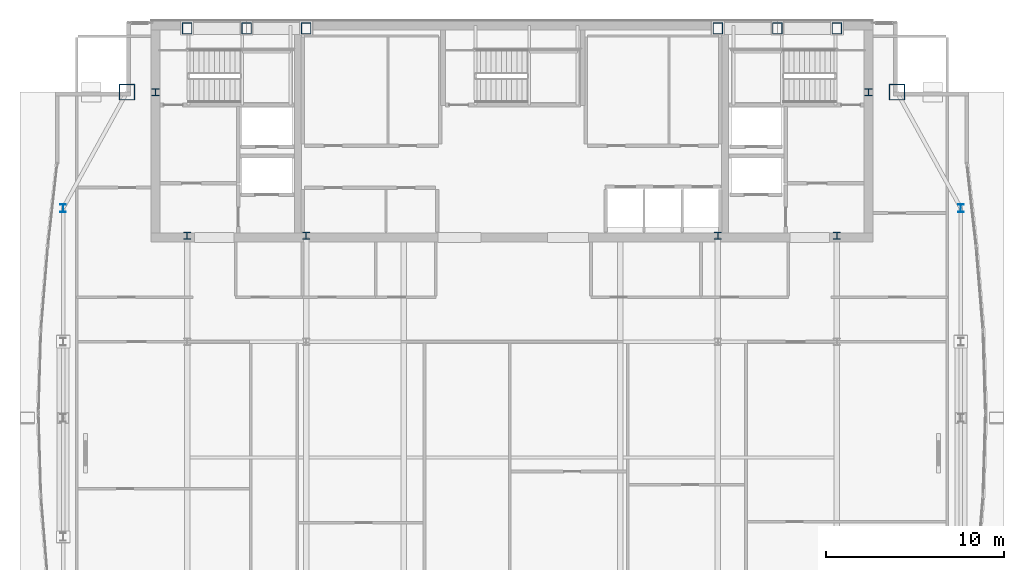
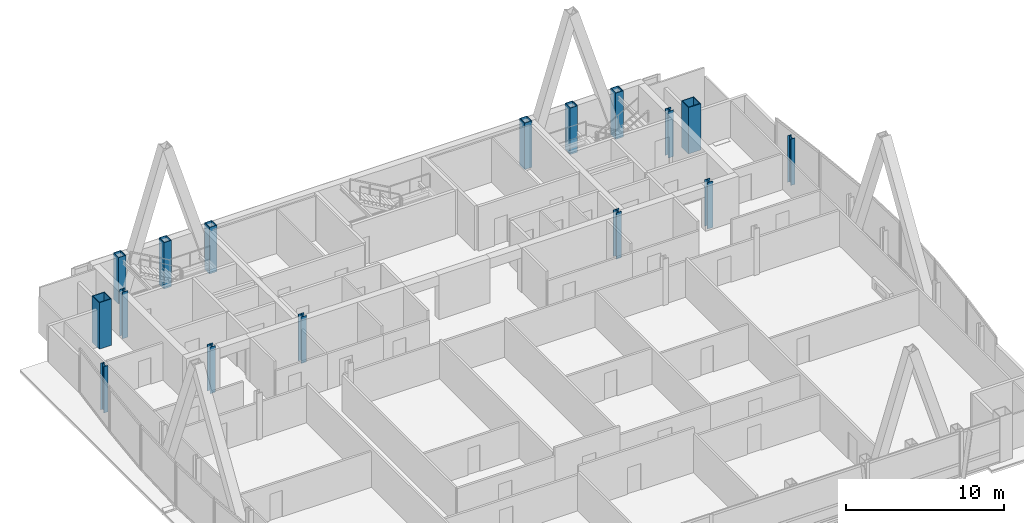
# One storey, part 3 of 28: 16 columns.
"""IFC4 building model written with IfcOpenShell, lengths in metres."""

from ifc_helpers import new_model, si_unit, direction, frame, origin, origin_2d, place, context, subcontext, project, spatial, hollow_rectangle, i_section, extrude, material, material_profile, profile_set, type_object, element, save


model = new_model("IFC4")

# Units and contexts
model_context = context("Model", 3, precision=1e-05, world=origin(), true_north=direction((0.0, 1.0)))
body_context = subcontext(model_context, "Body", "Model", "MODEL_VIEW")
ifc_project = project(units=[si_unit("LENGTHUNIT", "METRE"), si_unit("AREAUNIT", "SQUARE_METRE"), si_unit("VOLUMEUNIT", "CUBIC_METRE"), si_unit("PLANEANGLEUNIT", "RADIAN"), si_unit("MASSUNIT", "GRAM", prefix="KILO")], contexts=[model_context])

# Site, building, storey
site_placement = place(None, origin())
site = spatial("IfcSite", under=ifc_project, at=site_placement, CompositionType="ELEMENT")
building_placement = place(site_placement, origin())
building = spatial("IfcBuilding", under=site, at=building_placement, Name="Khoronbel Lancet Exchange", CompositionType="ELEMENT")
storey_placement = place(building_placement, frame((0.0, 0.0, 291.39990234375)))
storey = spatial("IfcBuildingStorey", under=building, at=storey_placement, Name="L75", CompositionType="ELEMENT", Elevation=291.39990234375)

# Columns
ifc_material_1 = material(Name="Steel S460", Category="steel")
ifc_material_profile_1 = material_profile(ifc_material_1, hollow_rectangle(XDim=0.550048828125, YDim=0.64990234375, WallThickness=0.0400390625, at=origin_2d()), Name="BOX 650x550x40")
ifc_profile_set_1 = profile_set([ifc_material_profile_1], Name="Steel S460")
column_type_1 = type_object("IfcColumnType", Name="COL-EC4", PredefinedType="COLUMN", material=ifc_profile_set_1)
for number, where, z_axis, x_axis, name in (
    (1, (18.22509765625, 53.280029296875, 0.0), (0.0, 0.0, 1.0), (1.0, 0.0, 0.0), "Structural column NC-W1 L75"),
    (2, (21.5625, 53.280029296875, 0.0), (0.0, 0.0, 1.0), (1.0, 0.0, 0.0), "Structural column NC-WM L75"),
    (3, (24.89990234375, 53.280029296875, 0.0), (0.0, 0.0, 1.0), (1.0, 0.0, 0.0), "Structural column NC-W2 L75"),
    (4, (48.0, 53.280029296875, 0.0), (0.0, 0.0, 1.0), (1.0, 0.0, 0.0), "Structural column NC-E1 L75"),
    (5, (51.33740234375, 53.280029296875, 0.0), (0.0, 0.0, 1.0), (1.0, 0.0, 0.0), "Structural column NC-EM L75"),
    (6, (54.675048828125, 53.280029296875, 0.0), (0.0, 0.0, 1.0), (1.0, 0.0, 0.0), "Structural column NC-E2 L75"),
):
    element("IfcColumn", number, at=place(storey_placement, frame(where, z_axis=z_axis, x_axis=x_axis)), inside=storey, type_object=column_type_1, Name=name, PredefinedType="COLUMN", context=body_context, shape_type="SweptSolid", body=[
        extrude(hollow_rectangle(XDim=0.550048828125, YDim=0.64990234375, WallThickness=0.0400390625, at=origin_2d()), origin(), (0.0, 0.0, 1.0), 3.60009765625),
    ])
ifc_material_2 = material(Name="Steel S355", Category="steel")
ifc_material_profile_2 = material_profile(ifc_material_2, i_section(OverallWidth=0.39892578125, OverallDepth=0.39306640625, WebThickness=0.022705078125, FlangeThickness=0.03662109375, at=origin_2d()), Name="HD 400x287")
ifc_profile_set_2 = profile_set([ifc_material_profile_2], Name="Steel S355")
column_type_2 = type_object("IfcColumnType", Name="COL-IC4", PredefinedType="COLUMN", material=ifc_profile_set_2)
for number, where, z_axis, x_axis, name in (
    (7, (16.449951171875, 49.699951171875, 0.0), (0.0, 0.0, 1.0), (1.0, 0.0, 0.0), "Core-flank plumb transfer column CFW L75"),
    (8, (56.449951171875, 49.699951171875, 0.0), (0.0, 0.0, 1.0), (1.0, 0.0, 0.0), "Core-flank plumb transfer column CFE L75"),
    (9, (18.22509765625, 41.64990234375, 0.0), (0.0, 0.0, 1.0), (1.0, 0.0, 0.0), "Core-embedded steel column CTC1 L75"),
    (10, (24.89990234375, 41.64990234375, 0.0), (0.0, 0.0, 1.0), (1.0, 0.0, 0.0), "Core-embedded steel column CTC2 L75"),
    (11, (48.0, 41.64990234375, 0.0), (0.0, 0.0, 1.0), (1.0, 0.0, 0.0), "Core-embedded steel column CTC3 L75"),
    (12, (54.675048828125, 41.64990234375, 0.0), (0.0, 0.0, 1.0), (1.0, 0.0, 0.0), "Core-embedded steel column CTC4 L75"),
):
    element("IfcColumn", number, at=place(storey_placement, frame(where, z_axis=z_axis, x_axis=x_axis)), inside=storey, type_object=column_type_2, Name=name, PredefinedType="COLUMN", context=body_context, shape_type="SweptSolid", body=[
        extrude(i_section(OverallWidth=0.39892578125, OverallDepth=0.39306640625, WebThickness=0.022705078125, FlangeThickness=0.03662109375, at=origin_2d()), origin(), (0.0, 0.0, 1.0), 3.60009765625),
    ])
ifc_material_profile_3 = material_profile(ifc_material_2, i_section(OverallWidth=0.300048828125, OverallDepth=0.449951171875, WebThickness=0.013916015625, FlangeThickness=0.02587890625, at=origin_2d()), Name="HEB 450")
ifc_profile_set_3 = profile_set([ifc_material_profile_3], Name="Steel S355")
column_type_3 = type_object("IfcColumnType", Name="COL-LC2", PredefinedType="COLUMN", material=ifc_profile_set_3)
for number, where, z_axis, x_axis, name in (
    (13, (11.27001953125, 43.199951171875, 0.0), (0.0, 0.0, 1.0), (1.0, 0.0, 0.0), "Structural column WC-4 L75"),
    (14, (61.6298828125, 43.199951171875, 0.0), (0.0, 0.0, 1.0), (1.0, 0.0, 0.0), "Structural column EC-4 L75"),
):
    element("IfcColumn", number, at=place(storey_placement, frame(where, z_axis=z_axis, x_axis=x_axis)), inside=storey, type_object=column_type_3, Name=name, PredefinedType="COLUMN", context=body_context, shape_type="SweptSolid", body=[
        extrude(i_section(OverallWidth=0.300048828125, OverallDepth=0.449951171875, WebThickness=0.013916015625, FlangeThickness=0.02587890625, at=origin_2d()), origin(), (0.0, 0.0, 1.0), 3.60009765625),
    ])
ifc_material_profile_4 = material_profile(ifc_material_1, hollow_rectangle(XDim=0.89990234375, YDim=0.89990234375, WallThickness=0.050048828125, at=origin_2d()), Name="BOX 900x900x50")
ifc_profile_set_4 = profile_set([ifc_material_profile_4], Name="Steel S460")
column_type_4 = type_object("IfcColumnType", Name="COL-MC7", PredefinedType="COLUMN", material=ifc_profile_set_4)
for number, where, z_axis, x_axis, name in (
    (15, (58.050048828125, 49.699951171875, 0.0), (0.0, 0.0, 1.0), (1.0, 0.0, 0.0), "Structural column MC-NE L75"),
    (16, (14.85009765625, 49.699951171875, 0.0), (0.0, 0.0, 1.0), (1.0, 0.0, 0.0), "Structural column MC-NW L75"),
):
    element("IfcColumn", number, at=place(storey_placement, frame(where, z_axis=z_axis, x_axis=x_axis)), inside=storey, type_object=column_type_4, Name=name, PredefinedType="COLUMN", context=body_context, shape_type="SweptSolid", body=[
        extrude(hollow_rectangle(XDim=0.89990234375, YDim=0.89990234375, WallThickness=0.050048828125, at=origin_2d()), origin(), (0.0, 0.0, 1.0), 3.60009765625),
    ])

save(model, "model.ifc")
